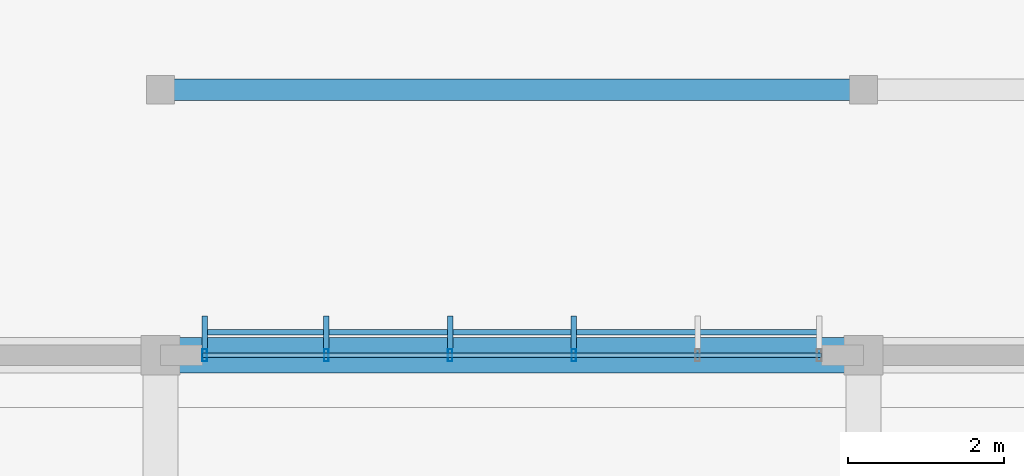
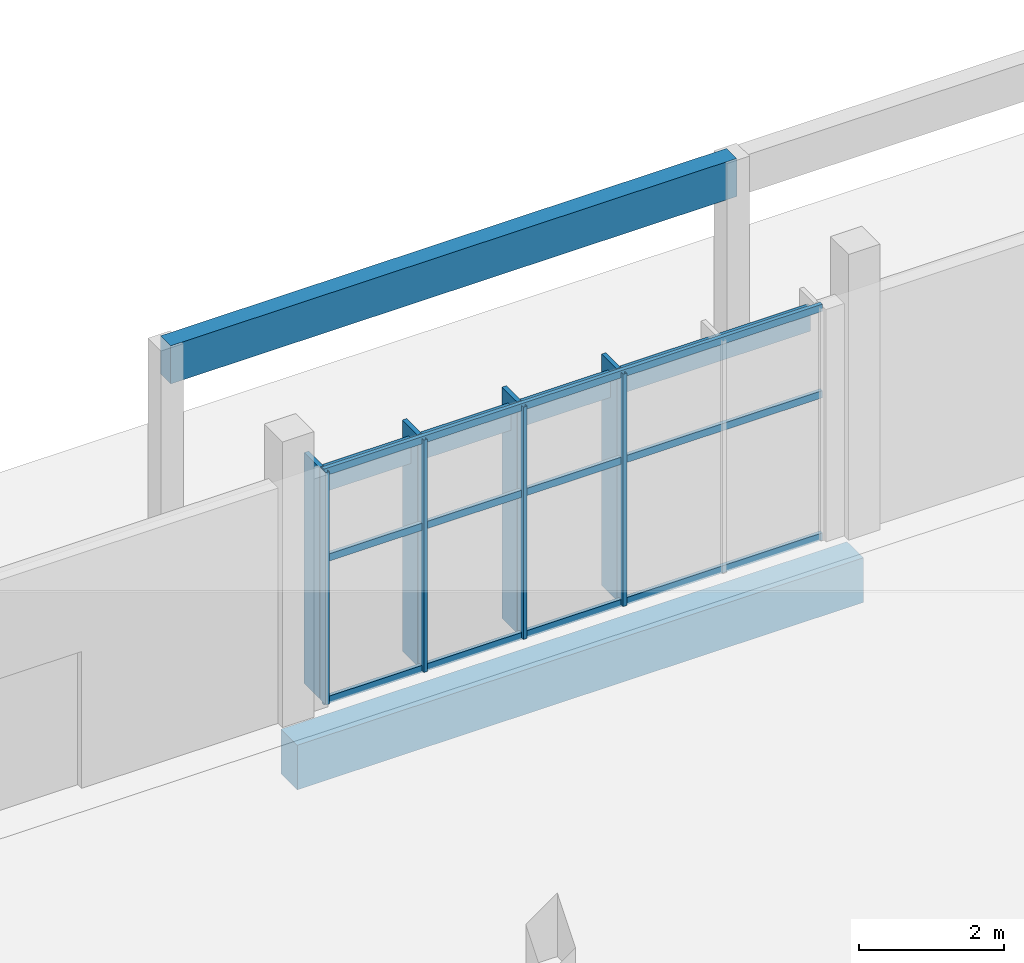
# One storey, part 31 of 151: 12 members, 2 beams, 1 element without a shape of its own.
"""IFC4 building model written with IfcOpenShell, lengths in metres."""

from ifc_helpers import new_model, si_unit, direction, frame, origin, origin_2d, place, context, subcontext, project, spatial, rectangle, hollow_rectangle, extrude, material, material_profile, profile_set, type_object, element, aggregate, save


model = new_model("IFC4")

# Units and contexts
model_context = context("Model", 3, precision=1e-05, world=origin(), true_north=direction((0.0, 1.0)))
body_context = subcontext(model_context, "Body", "Model", "MODEL_VIEW")
ifc_project = project(units=[si_unit("LENGTHUNIT", "METRE"), si_unit("AREAUNIT", "SQUARE_METRE"), si_unit("VOLUMEUNIT", "CUBIC_METRE"), si_unit("PLANEANGLEUNIT", "RADIAN"), si_unit("MASSUNIT", "GRAM", prefix="KILO")], contexts=[model_context])

# Site, building, storey
site_placement = place(None, origin())
site = spatial("IfcSite", under=ifc_project, at=site_placement, CompositionType="ELEMENT")
building_placement = place(site_placement, origin())
building = spatial("IfcBuilding", under=site, at=building_placement, Name="Chiffa Square Polytechnic", CompositionType="ELEMENT")
storey_placement = place(building_placement, origin())
storey = spatial("IfcBuildingStorey", under=building, at=storey_placement, Name="L00", CompositionType="ELEMENT", Elevation=0.0)

# Curtain wall, members
ifc_material_1 = material(Name="Aluminium EN AW-6060 T66 and glulam shading", Category="wood")
curtain_wall_type = type_object("IfcCurtainWallType", Name="CW-VERT-480X380", PredefinedType="USERDEFINED", material=ifc_material_1)
curtain_wall_placement = place(storey_placement, origin())
curtain_wall = element("IfcCurtainWall", 1, at=curtain_wall_placement, inside=storey, type_object=curtain_wall_type, Name="Curtain wall CW-V4-L00-182", ObjectType="CURTAIN WALL", PredefinedType="USERDEFINED")
ifc_material_2 = material(Name="Aluminium EN AW-6060 T66", Category="aluminium")
ifc_material_profile_1 = material_profile(ifc_material_2, hollow_rectangle(XDim=0.06005859375, YDim=0.159912109375, WallThickness=0.00390625, at=origin_2d()), Name="ALU 60x160x4")
ifc_profile_set_1 = profile_set([ifc_material_profile_1], Name="Aluminium EN AW-6060 T66")
member_type_1 = type_object("IfcMemberType", Name="CWM-ALU-65X150", PredefinedType="MULLION", material=ifc_profile_set_1)
member_1_placement = place(storey_placement, frame((62.89208984375, 51.0, 0.0), z_axis=(0.0, 0.0, 1.0), x_axis=(1.0, 0.0, 0.0)))
member_1 = element("IfcMember", 2, at=member_1_placement, type_object=member_type_1, Name="Curtain wall mullion CW-V4-L00-182-M02", PredefinedType="MULLION", context=body_context, shape_type="SweptSolid", body=[
    extrude(hollow_rectangle(XDim=0.06005859375, YDim=0.159912109375, WallThickness=0.00390625, at=origin_2d()), origin(), (0.0, 0.0, 1.0), 3.905029296875),
])
member_2_placement = place(storey_placement, frame((61.30810546875, 51.0, 0.0), z_axis=(0.0, 0.0, 1.0), x_axis=(1.0, 0.0, 0.0)))
member_2 = element("IfcMember", 3, at=member_2_placement, type_object=member_type_1, Name="Curtain wall mullion CW-V4-L00-182-M03", PredefinedType="MULLION", context=body_context, shape_type="SweptSolid", body=[
    extrude(hollow_rectangle(XDim=0.06005859375, YDim=0.159912109375, WallThickness=0.00390625, at=origin_2d()), origin(), (0.0, 0.0, 1.0), 3.905029296875),
])
member_3_placement = place(storey_placement, frame((59.72412109375, 51.0, 0.0), z_axis=(0.0, 0.0, 1.0), x_axis=(1.0, 0.0, 0.0)))
member_3 = element("IfcMember", 4, at=member_3_placement, type_object=member_type_1, Name="Curtain wall mullion CW-V4-L00-182-M04", PredefinedType="MULLION", context=body_context, shape_type="SweptSolid", body=[
    extrude(hollow_rectangle(XDim=0.06005859375, YDim=0.159912109375, WallThickness=0.00390625, at=origin_2d()), origin(), (0.0, 0.0, 1.0), 3.905029296875),
])
member_4_placement = place(storey_placement, frame((58.1650390625, 51.0, 0.0), z_axis=(0.0, 0.0, 1.0), x_axis=(1.0, 0.0, 0.0)))
member_4 = element("IfcMember", 5, at=member_4_placement, type_object=member_type_1, Name="Curtain wall mullion CW-V4-L00-182-M05", PredefinedType="MULLION", context=body_context, shape_type="SweptSolid", body=[
    extrude(hollow_rectangle(XDim=0.06005859375, YDim=0.159912109375, WallThickness=0.00390625, at=origin_2d()), origin(), (0.0, 0.0, 1.0), 3.905029296875),
])
ifc_material_3 = material(Name="Glulam GL28h", Category="wood")
ifc_material_profile_2 = material_profile(ifc_material_3, rectangle(XDim=0.070068359375, YDim=0.419921875, at=origin_2d()), Name="GL28h 70x420")
ifc_profile_set_2 = profile_set([ifc_material_profile_2], Name="Glulam GL28h")
member_type_2 = type_object("IfcMemberType", Name="CWM-GL-70X420", PredefinedType="MULLION", material=ifc_profile_set_2)
member_5_placement = place(storey_placement, frame((62.89208984375, 51.2919921875, 0.010009765625), z_axis=(0.0, 0.0, 1.0), x_axis=(-1.0, 0.0, 0.0)))
member_5 = element("IfcMember", 6, at=member_5_placement, type_object=member_type_2, Name="Exterior glulam solar fin CW-V4-L00-182-FN02", PredefinedType="MULLION", context=body_context, shape_type="SweptSolid", body=[
    extrude(rectangle(XDim=0.070068359375, YDim=0.419921875, at=origin_2d()), origin(), (0.0, 0.0, 1.0), 3.885009765625),
])
member_6_placement = place(storey_placement, frame((61.30810546875, 51.2919921875, 0.010009765625), z_axis=(0.0, 0.0, 1.0), x_axis=(-1.0, 0.0, 0.0)))
member_6 = element("IfcMember", 7, at=member_6_placement, type_object=member_type_2, Name="Exterior glulam solar fin CW-V4-L00-182-FN03", PredefinedType="MULLION", context=body_context, shape_type="SweptSolid", body=[
    extrude(rectangle(XDim=0.070068359375, YDim=0.419921875, at=origin_2d()), origin(), (0.0, 0.0, 1.0), 3.885009765625),
])
member_7_placement = place(storey_placement, frame((59.72412109375, 51.2919921875, 0.010009765625), z_axis=(0.0, 0.0, 1.0), x_axis=(-1.0, 0.0, 0.0)))
member_7 = element("IfcMember", 8, at=member_7_placement, type_object=member_type_2, Name="Exterior glulam solar fin CW-V4-L00-182-FN04", PredefinedType="MULLION", context=body_context, shape_type="SweptSolid", body=[
    extrude(rectangle(XDim=0.070068359375, YDim=0.419921875, at=origin_2d()), origin(), (0.0, 0.0, 1.0), 3.885009765625),
])
member_8_placement = place(storey_placement, frame((58.1650390625, 51.2919921875, 0.010009765625), z_axis=(0.0, 0.0, 1.0), x_axis=(-1.0, 0.0, 0.0)))
member_8 = element("IfcMember", 9, at=member_8_placement, type_object=member_type_2, Name="Exterior glulam solar fin CW-V4-L00-182-FN05", PredefinedType="MULLION", context=body_context, shape_type="SweptSolid", body=[
    extrude(rectangle(XDim=0.070068359375, YDim=0.419921875, at=origin_2d()), origin(), (0.0, 0.0, 1.0), 3.885009765625),
])
ifc_material_profile_3 = material_profile(ifc_material_2, hollow_rectangle(XDim=0.06005859375, YDim=0.1201171875, WallThickness=0.00390625, at=origin_2d()), Name="ALU 60x120x4")
ifc_profile_set_3 = profile_set([ifc_material_profile_3], Name="Aluminium EN AW-6060 T66")
member_type_3 = type_object("IfcMemberType", Name="CWT-ALU-65X120", PredefinedType="USERDEFINED", material=ifc_profile_set_3)
member_9_placement = place(storey_placement, frame((66.06201171875, 51.0, 0.030029296875), z_axis=(-1.0, 0.0, 0.0), x_axis=(0.0, -1.0, 0.0)))
member_9 = element("IfcMember", 10, at=member_9_placement, type_object=member_type_3, Name="Curtain wall transom CW-V4-L00-182-T01", ObjectType="TRANSOM", PredefinedType="USERDEFINED", context=body_context, shape_type="SweptSolid", body=[
    extrude(hollow_rectangle(XDim=0.06005859375, YDim=0.1201171875, WallThickness=0.00390625, at=origin_2d()), origin(), (0.0, 0.0, 1.0), 7.924072265625),
])
member_10_placement = place(storey_placement, frame((66.06201171875, 51.0, 2.4208984375), z_axis=(-1.0, 0.0, 0.0), x_axis=(0.0, -1.0, 0.0)))
member_10 = element("IfcMember", 11, at=member_10_placement, type_object=member_type_3, Name="Curtain wall transom CW-V4-L00-182-T02", ObjectType="TRANSOM", PredefinedType="USERDEFINED", context=body_context, shape_type="SweptSolid", body=[
    extrude(hollow_rectangle(XDim=0.06005859375, YDim=0.1201171875, WallThickness=0.00390625, at=origin_2d()), origin(), (0.0, 0.0, 1.0), 7.924072265625),
])
member_11_placement = place(storey_placement, frame((66.06201171875, 51.0, 3.875), z_axis=(-1.0, 0.0, 0.0), x_axis=(0.0, -1.0, 0.0)))
member_11 = element("IfcMember", 12, at=member_11_placement, type_object=member_type_3, Name="Curtain wall transom CW-V4-L00-182-T03", ObjectType="TRANSOM", PredefinedType="USERDEFINED", context=body_context, shape_type="SweptSolid", body=[
    extrude(hollow_rectangle(XDim=0.06005859375, YDim=0.1201171875, WallThickness=0.00390625, at=origin_2d()), origin(), (0.0, 0.0, 1.0), 7.924072265625),
])
ifc_material_profile_4 = material_profile(ifc_material_3, rectangle(XDim=0.070068359375, YDim=0.419921875, at=origin_2d()), Name="GL28h 70x420")
ifc_profile_set_4 = profile_set([ifc_material_profile_4], Name="Glulam GL28h")
member_type_4 = type_object("IfcMemberType", Name="CWT-GL-70X420", PredefinedType="USERDEFINED", material=ifc_profile_set_4)
member_12_placement = place(storey_placement, frame((66.034912109375, 51.2919921875, 3.52490234375), z_axis=(-1.0, 0.0, 0.0), x_axis=(0.0, -1.0, 0.0)))
member_12 = element("IfcMember", 13, at=member_12_placement, type_object=member_type_4, Name="Exterior glulam brise-soleil CW-V4-L00-182-BS01", ObjectType="TRANSOM", PredefinedType="USERDEFINED", context=body_context, shape_type="SweptSolid", body=[
    extrude(rectangle(XDim=0.070068359375, YDim=0.419921875, at=origin_2d()), origin(), (0.0, 0.0, 1.0), 7.869873046875),
])
aggregate(curtain_wall, [member_1, member_5, member_2, member_6, member_3, member_7, member_4, member_8, member_9, member_10, member_11, member_12])

# Beams
ifc_material_4 = material(Name="Concrete C35/45", Category="concrete")
ifc_material_profile_5 = material_profile(ifc_material_4, rectangle(XDim=0.449951171875, YDim=0.75, at=origin_2d()), Name="RC 450x750")
ifc_profile_set_5 = profile_set([ifc_material_profile_5], Name="Concrete C35/45")
beam_type_1 = type_object("IfcBeamType", Name="GB-RC-450X750", PredefinedType="BEAM", material=ifc_profile_set_5)
beam_1_placement = place(storey_placement, frame((57.60009765625, 51.0, -0.77490234375), z_axis=(1.0, 0.0, 0.0), x_axis=(0.0, 1.0, 0.0)))
element("IfcBeam", 14, at=beam_1_placement, inside=storey, type_object=beam_type_1, Name="Ground tie beam GB-V4-X-115", PredefinedType="BEAM", context=body_context, shape_type="SweptSolid", body=[
    extrude(rectangle(XDim=0.449951171875, YDim=0.75, at=origin_2d()), origin(), (0.0, 0.0, 1.0), 9.0),
])
ifc_material_profile_6 = material_profile(ifc_material_3, rectangle(XDim=0.280029296875, YDim=0.639892578125, at=origin_2d()), Name="GL28h 280x640")
ifc_profile_set_6 = profile_set([ifc_material_profile_6], Name="Glulam GL28h")
beam_type_2 = type_object("IfcBeamType", Name="RB-GL-280X640", PredefinedType="SPANDREL", material=ifc_profile_set_6)
beam_2_placement = place(storey_placement, frame((57.60009765625, 54.39990234375, 3.8798828125), z_axis=(1.0, 0.0, 0.0), x_axis=(0.0, 1.0, 0.0)))
element("IfcBeam", 15, at=beam_2_placement, inside=storey, type_object=beam_type_2, Name="Courtyard pergola beam RB-CY-L00-01", PredefinedType="SPANDREL", context=body_context, shape_type="SweptSolid", body=[
    extrude(rectangle(XDim=0.280029296875, YDim=0.639892578125, at=origin_2d()), origin(), (0.0, 0.0, 1.0), 9.0),
])

save(model, "model.ifc")
